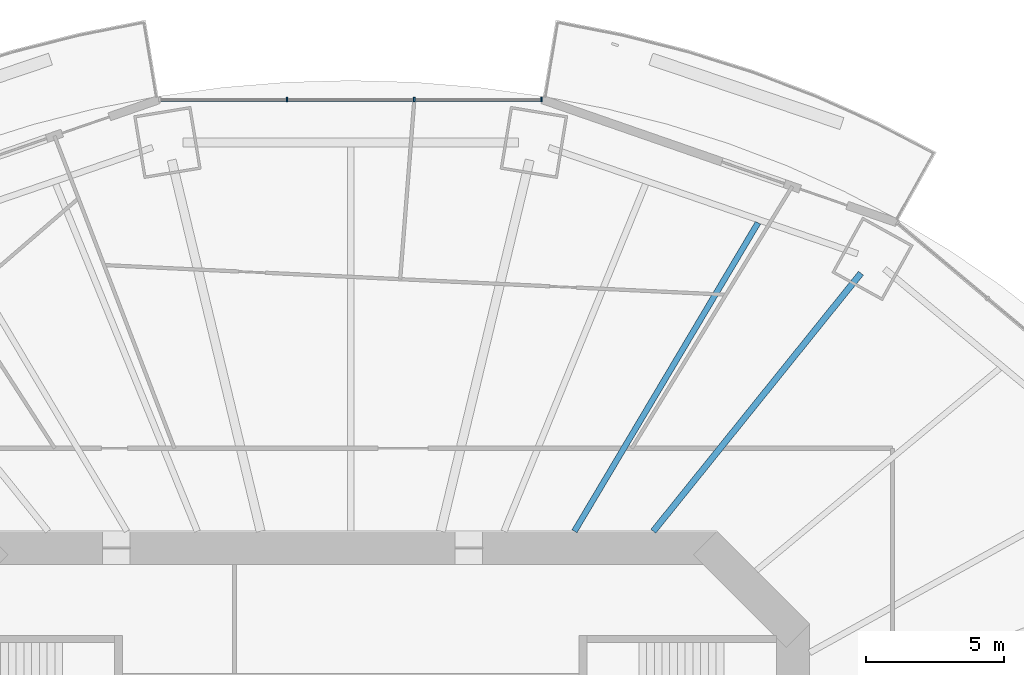
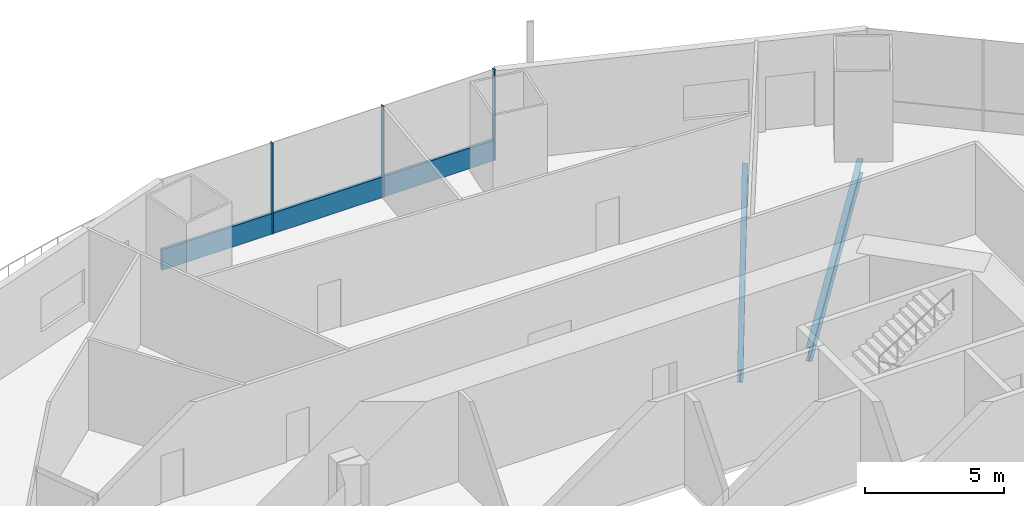
# One storey, part 9 of 22: 4 members, 2 beams, 1 element without a shape of its own.
"""IFC4 building model written with IfcOpenShell, lengths in metres."""

from ifc_helpers import new_model, si_unit, direction, frame, origin, origin_2d, place, context, subcontext, project, spatial, rectangle, i_section, extrude, material, material_profile, profile_set, type_object, element, aggregate, save


model = new_model("IFC4")

# Units and contexts
model_context = context("Model", 3, precision=1e-05, world=origin(), true_north=direction((0.0, 1.0)))
body_context = subcontext(model_context, "Body", "Model", "MODEL_VIEW")
ifc_project = project(units=[si_unit("LENGTHUNIT", "METRE"), si_unit("AREAUNIT", "SQUARE_METRE"), si_unit("VOLUMEUNIT", "CUBIC_METRE"), si_unit("PLANEANGLEUNIT", "RADIAN"), si_unit("MASSUNIT", "GRAM", prefix="KILO")], contexts=[model_context])

# Site, building, storey
site_placement = place(None, origin())
site = spatial("IfcSite", under=ifc_project, at=site_placement, CompositionType="ELEMENT")
building_placement = place(site_placement, origin())
building = spatial("IfcBuilding", under=site, at=building_placement, Name="Marenthal Gate Tower", CompositionType="ELEMENT")
storey_placement = place(building_placement, frame((0.0, 0.0, 74.5)))
storey = spatial("IfcBuildingStorey", under=building, at=storey_placement, Name="L14", CompositionType="ELEMENT", Elevation=74.5)

# Curtain wall, members
ifc_material_1 = material(Name="Aluminium and glass", Category="aluminium")
curtain_wall_type = type_object("IfcCurtainWallType", Name="Curtain wall typical low", PredefinedType="NOTDEFINED", material=ifc_material_1)
curtain_wall_placement = place(storey_placement, origin())
curtain_wall = element("IfcCurtainWall", 1, at=curtain_wall_placement, inside=storey, type_object=curtain_wall_type, Name="Curtain wall L14 bay 4", PredefinedType="NOTDEFINED")
ifc_material_2 = material(Name="Aluminium", Category="aluminium")
ifc_material_profile_1 = material_profile(ifc_material_2, rectangle(XDim=0.159912109375, YDim=0.06005859375, at=origin_2d()), Name="60x160 aluminium mullion")
ifc_profile_set_1 = profile_set([ifc_material_profile_1], Name="Aluminium")
member_type_1 = type_object("IfcMemberType", Name="Mullion 60x160 typical low", PredefinedType="MULLION", material=ifc_profile_set_1)
member_1_placement = place(storey_placement, frame((6.906005859375, 29.211669921875, 0.0), z_axis=(0.0, 0.0, 1.0), x_axis=(0.0, -1.0, 0.0)))
member_1 = element("IfcMember", 2, at=member_1_placement, type_object=member_type_1, Name="Mullion L14 bay 4.1", PredefinedType="MULLION", context=body_context, shape_type="SweptSolid", body=[
    extrude(rectangle(XDim=0.159912109375, YDim=0.06005859375, at=origin_2d()), origin(), (0.0, 0.0, 1.0), 3.969970703125),
])
member_2_placement = place(storey_placement, frame((2.302001953125, 29.211669921875, 0.0), z_axis=(0.0, 0.0, 1.0), x_axis=(0.0, -1.0, 0.0)))
member_2 = element("IfcMember", 3, at=member_2_placement, type_object=member_type_1, Name="Mullion L14 bay 4.2", PredefinedType="MULLION", context=body_context, shape_type="SweptSolid", body=[
    extrude(rectangle(XDim=0.159912109375, YDim=0.06005859375, at=origin_2d()), origin(), (0.0, 0.0, 1.0), 3.969970703125),
])
member_3_placement = place(storey_placement, frame((-2.302001953125, 29.211669921875, 0.0), z_axis=(0.0, 0.0, 1.0), x_axis=(0.0, -1.0, 0.0)))
member_3 = element("IfcMember", 4, at=member_3_placement, type_object=member_type_1, Name="Mullion L14 bay 4.3", PredefinedType="MULLION", context=body_context, shape_type="SweptSolid", body=[
    extrude(rectangle(XDim=0.159912109375, YDim=0.06005859375, at=origin_2d()), origin(), (0.0, 0.0, 1.0), 3.969970703125),
])
ifc_material_3 = material(Name="Aluminium", Category="aluminium")
ifc_material_profile_2 = material_profile(ifc_material_3, rectangle(XDim=0.1201171875, YDim=0.89990234375, at=origin_2d()), Name="120x900 aluminium transom")
ifc_profile_set_2 = profile_set([ifc_material_profile_2], Name="Aluminium")
member_type_2 = type_object("IfcMemberType", Name="Transom 120x900 typical low", PredefinedType="USERDEFINED", material=ifc_profile_set_2)
member_4_placement = place(storey_placement, frame((6.8759765625, 29.211669921875, 0.449951171875), z_axis=(-1.0, 0.0, 0.0), x_axis=(0.0, -1.0, 0.0)))
member_4 = element("IfcMember", 5, at=member_4_placement, type_object=member_type_2, Name="Transom L14 bay 4", ObjectType="TRANSOM", PredefinedType="USERDEFINED", context=body_context, shape_type="SweptSolid", body=[
    extrude(rectangle(XDim=0.1201171875, YDim=0.89990234375, at=origin_2d()), origin(), (0.0, 0.0, 1.0), 13.751953125),
])
aggregate(curtain_wall, [member_1, member_2, member_3, member_4])

# Beams
ifc_material_4 = material(Name="Steel S355", Category="steel")
ifc_material_profile_3 = material_profile(ifc_material_4, i_section(OverallWidth=0.2119140625, OverallDepth=0.5439453125, WebThickness=0.01318359375, FlangeThickness=0.021240234375, FilletRadius=0.0126953125, at=origin_2d()), Name="W530X123")
ifc_profile_set_3 = profile_set([ifc_material_profile_3], Name="Steel S355")
beam_type_1 = type_object("IfcBeamType", Name="W530X123 beam", PredefinedType="BEAM", material=ifc_profile_set_3)
beam_1_placement = place(storey_placement, frame((14.732421875, 24.754150390625, -0.451904296875), z_axis=(-0.511433266122, -0.859322997658, 0.0), x_axis=(0.859322997658, -0.511433266122, 0.0)))
element("IfcBeam", 6, at=beam_1_placement, inside=storey, type_object=beam_type_1, Name="BM-L14-20", PredefinedType="BEAM", context=body_context, shape_type="SweptSolid", body=[
    extrude(i_section(OverallWidth=0.2119140625, OverallDepth=0.5439453125, WebThickness=0.01318359375, FlangeThickness=0.021240234375, FilletRadius=0.0126953125, at=origin_2d()), origin(), (0.0, 0.0, 1.0), 12.97998046875),
])
ifc_material_5 = material(Name="Steel S355", Category="steel")
ifc_material_profile_4 = material_profile(ifc_material_5, i_section(OverallWidth=0.22900390625, OverallDepth=0.612060546875, WebThickness=0.011962890625, FlangeThickness=0.01953125, FilletRadius=0.0126953125, at=origin_2d()), Name="W610X125")
ifc_profile_set_4 = profile_set([ifc_material_profile_4], Name="Steel S355")
beam_type_2 = type_object("IfcBeamType", Name="W610X125 beam", PredefinedType="BEAM", material=ifc_profile_set_4)
beam_2_placement = place(storey_placement, frame((18.456298828125, 22.93115234375, -0.486083984375), z_axis=(-0.62700397479, -0.779016056059, 0.0), x_axis=(0.779016056059, -0.62700397479, 0.0)))
element("IfcBeam", 7, at=beam_2_placement, inside=storey, type_object=beam_type_2, Name="BM-L14-03", PredefinedType="BEAM", context=body_context, shape_type="SweptSolid", body=[
    extrude(i_section(OverallWidth=0.22900390625, OverallDepth=0.612060546875, WebThickness=0.011962890625, FlangeThickness=0.01953125, FilletRadius=0.0126953125, at=origin_2d()), origin(), (0.0, 0.0, 1.0), 11.97802734375),
])

save(model, "model.ifc")
